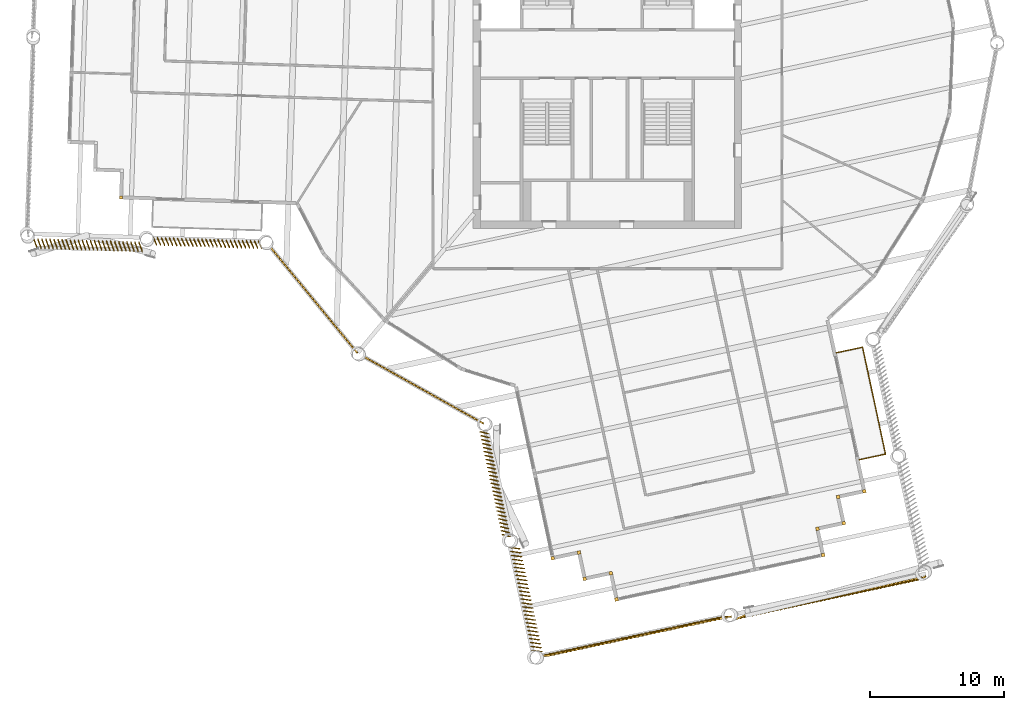
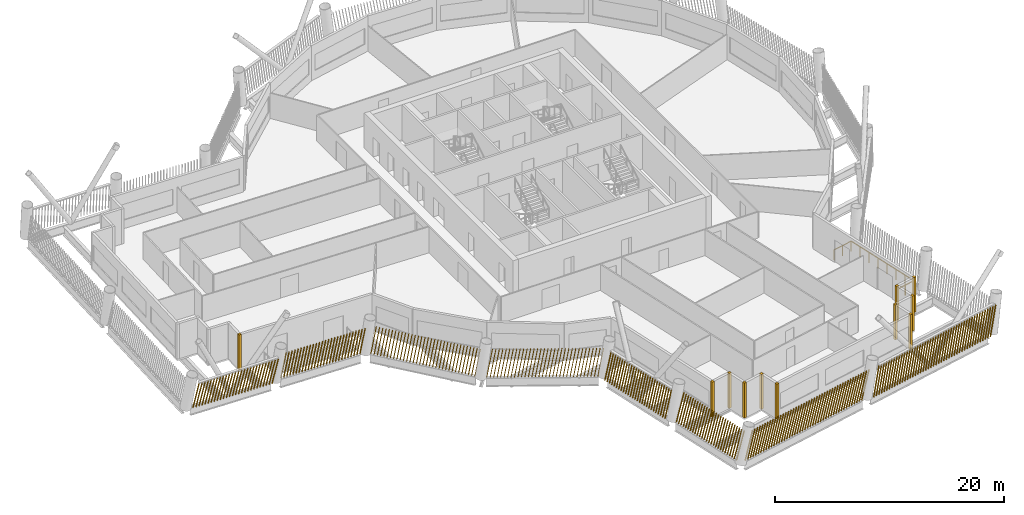
# One storey, part 17 of 21: 19 shading devices, 1 railing.
"""IFC4 building model written with IfcOpenShell, lengths in metres."""

from ifc_helpers import new_model, si_unit, direction, frame, frame_2d, origin, origin_2d, place, context, subcontext, project, spatial, rectangle, circle, composite_profile, extrude, material, type_object, element, save


model = new_model("IFC4")

# Units and contexts
model_context = context("Model", 3, precision=1e-05, world=origin(), true_north=direction((0.0, 1.0)))
body_context = subcontext(model_context, "Body", "Model", "MODEL_VIEW")
ifc_project = project(units=[si_unit("LENGTHUNIT", "METRE"), si_unit("AREAUNIT", "SQUARE_METRE"), si_unit("VOLUMEUNIT", "CUBIC_METRE"), si_unit("PLANEANGLEUNIT", "RADIAN"), si_unit("MASSUNIT", "GRAM", prefix="KILO")], contexts=[model_context])

# Site, building, storey
site_placement = place(None, origin())
site = spatial("IfcSite", under=ifc_project, at=site_placement, CompositionType="ELEMENT")
building_placement = place(site_placement, origin())
building = spatial("IfcBuilding", under=site, at=building_placement, Name="Tarsis Ring Headquarters", CompositionType="ELEMENT")
storey_placement = place(building_placement, frame((0.0, 0.0, 278.60009765625)))
storey = spatial("IfcBuildingStorey", under=building, at=storey_placement, Name="L65", CompositionType="ELEMENT", Elevation=278.60009765625)

# Railing
ifc_material_1 = material(Name="Stainless steel guard", Category="steel")
railing_type = type_object("IfcRailingType", Name="Balcony balustrade with mesh infill 1100", PredefinedType="BALUSTRADE", material=ifc_material_1)
railing_placement = place(storey_placement, frame((18.76611328125, -30.23388671875, 0.0)))
element("IfcRailing", 1, at=railing_placement, inside=storey, type_object=railing_type, Name="Balcony balustrade L65-16", PredefinedType="BALUSTRADE", context=body_context, shape_type="SweptSolid", body=[
    extrude(circle(Radius=0.030029296875, at=origin_2d()), frame((0.0, 0.0, 1.070068359375), z_axis=(0.977713011917, 0.209945865231, 0.0), x_axis=(-0.209945865231, 0.977713011917, 0.0)), (0.0, 0.0, 1.0), 2.000244140625),
    extrude(circle(Radius=0.030029296875, at=origin_2d()), frame((1.95556640625, 0.419921875, 1.070068359375), z_axis=(-0.209954515157, 0.977711154465, 0.0), x_axis=(-0.977711154465, -0.209954515157, 0.0)), (0.0, 0.0, 1.0), 8.1513671875),
    extrude(circle(Radius=0.030029296875, at=origin_2d()), frame((0.244140625, 8.3896484375, 1.070068359375), z_axis=(-0.977713011917, -0.209945865231, 0.0), x_axis=(0.209945865231, -0.977713011917, 0.0)), (0.0, 0.0, 1.0), 2.000244140625),
    extrude(circle(Radius=0.02490234375, at=origin_2d()), origin(), (0.0, 0.0, 1.0), 1.0400390625),
    extrude(circle(Radius=0.02490234375, at=origin_2d()), frame((0.977783203125, 0.2099609375, 0.0)), (0.0, 0.0, 1.0), 1.0400390625),
    extrude(circle(Radius=0.02490234375, at=origin_2d()), frame((1.95556640625, 0.419921875, 0.0)), (0.0, 0.0, 1.0), 1.0400390625),
    extrude(circle(Radius=0.02490234375, at=origin_2d()), frame((1.711181640625, 1.558349609375, 0.0)), (0.0, 0.0, 1.0), 1.0400390625),
    extrude(circle(Radius=0.02490234375, at=origin_2d()), frame((1.466552734375, 2.697021484375, 0.0)), (0.0, 0.0, 1.0), 1.0400390625),
    extrude(circle(Radius=0.02490234375, at=origin_2d()), frame((1.22216796875, 3.83544921875, 0.0)), (0.0, 0.0, 1.0), 1.0400390625),
    extrude(circle(Radius=0.02490234375, at=origin_2d()), frame((0.9775390625, 4.97412109375, 0.0)), (0.0, 0.0, 1.0), 1.0400390625),
    extrude(circle(Radius=0.02490234375, at=origin_2d()), frame((0.733154296875, 6.112548828125, 0.0)), (0.0, 0.0, 1.0), 1.0400390625),
    extrude(circle(Radius=0.02490234375, at=origin_2d()), frame((0.488525390625, 7.251220703125, 0.0)), (0.0, 0.0, 1.0), 1.0400390625),
    extrude(circle(Radius=0.02490234375, at=origin_2d()), frame((0.244140625, 8.3896484375, 0.0)), (0.0, 0.0, 1.0), 1.0400390625),
    extrude(circle(Radius=0.02490234375, at=origin_2d()), frame((-0.733642578125, 8.1796875, 0.0)), (0.0, 0.0, 1.0), 1.0400390625),
    extrude(circle(Radius=0.02490234375, at=origin_2d()), frame((-1.71142578125, 7.9697265625, 0.0)), (0.0, 0.0, 1.0), 1.0400390625),
])

# Shading devices
ifc_material_2 = material(Name="Terracotta baguette", Category="masonry")
shading_device_type_1 = type_object("IfcShadingDeviceType", Name="Terracotta baguette screen", PredefinedType="USERDEFINED", material=ifc_material_2)
shading_device_1_placement = place(storey_placement, frame((-18.18896484375, -22.535400390625, 0.0), z_axis=(0.0, 0.0, 1.0), x_axis=(0.872957577575, -0.487782941088, 0.0)))
element("IfcShadingDevice", 2, at=shading_device_1_placement, inside=storey, type_object=shading_device_type_1, Name="Baguette screen L65-00", ObjectType="Terracotta baguette screen", PredefinedType="USERDEFINED", context=body_context, shape_type="SweptSolid", body=[
    extrude(composite_profile([rectangle(XDim=0.06005859375, YDim=0.1201171875, at=frame_2d((0.030029296875, 0.0))), rectangle(XDim=0.06005859375, YDim=0.1201171875, at=frame_2d((0.33349609375, 0.0))), rectangle(XDim=0.06005859375, YDim=0.1201171875, at=frame_2d((0.636962890625, 0.0))), rectangle(XDim=0.06005859375, YDim=0.1201171875, at=frame_2d((0.9404296875, 0.0))), rectangle(XDim=0.06005859375, YDim=0.1201171875, at=frame_2d((1.243896484375, 0.0))), rectangle(XDim=0.06005859375, YDim=0.1201171875, at=frame_2d((1.54736328125, 0.0))), rectangle(XDim=0.06005859375, YDim=0.1201171875, at=frame_2d((1.85107421875, 0.0))), rectangle(XDim=0.06005859375, YDim=0.1201171875, at=frame_2d((2.154541015625, 0.0))), rectangle(XDim=0.06005859375, YDim=0.1201171875, at=frame_2d((2.4580078125, 0.0))), rectangle(XDim=0.06005859375, YDim=0.1201171875, at=frame_2d((2.761474609375, 0.0))), rectangle(XDim=0.06005859375, YDim=0.1201171875, at=frame_2d((3.06494140625, 0.0))), rectangle(XDim=0.06005859375, YDim=0.1201171875, at=frame_2d((3.368408203125, 0.0))), rectangle(XDim=0.06005859375, YDim=0.1201171875, at=frame_2d((3.671875, 0.0))), rectangle(XDim=0.06005859375, YDim=0.1201171875, at=frame_2d((3.975341796875, 0.0))), rectangle(XDim=0.06005859375, YDim=0.1201171875, at=frame_2d((4.27880859375, 0.0))), rectangle(XDim=0.06005859375, YDim=0.1201171875, at=frame_2d((4.582275390625, 0.0))), rectangle(XDim=0.06005859375, YDim=0.1201171875, at=frame_2d((4.8857421875, 0.0))), rectangle(XDim=0.06005859375, YDim=0.1201171875, at=frame_2d((5.189453125, 0.0))), rectangle(XDim=0.06005859375, YDim=0.1201171875, at=frame_2d((5.492919921875, 0.0))), rectangle(XDim=0.06005859375, YDim=0.1201171875, at=frame_2d((5.79638671875, 0.0))), rectangle(XDim=0.06005859375, YDim=0.1201171875, at=frame_2d((6.099853515625, 0.0))), rectangle(XDim=0.06005859375, YDim=0.1201171875, at=frame_2d((6.4033203125, 0.0))), rectangle(XDim=0.06005859375, YDim=0.1201171875, at=frame_2d((6.706787109375, 0.0))), rectangle(XDim=0.06005859375, YDim=0.1201171875, at=frame_2d((7.01025390625, 0.0))), rectangle(XDim=0.06005859375, YDim=0.1201171875, at=frame_2d((7.313720703125, 0.0))), rectangle(XDim=0.06005859375, YDim=0.1201171875, at=frame_2d((7.6171875, 0.0))), rectangle(XDim=0.06005859375, YDim=0.1201171875, at=frame_2d((7.920654296875, 0.0))), rectangle(XDim=0.06005859375, YDim=0.1201171875, at=frame_2d((8.224365234375, 0.0))), rectangle(XDim=0.06005859375, YDim=0.1201171875, at=frame_2d((8.52783203125, 0.0))), rectangle(XDim=0.06005859375, YDim=0.1201171875, at=frame_2d((8.831298828125, 0.0))), rectangle(XDim=0.06005859375, YDim=0.1201171875, at=frame_2d((9.134765625, 0.0))), rectangle(XDim=0.06005859375, YDim=0.1201171875, at=frame_2d((9.438232421875, 0.0))), rectangle(XDim=0.06005859375, YDim=0.1201171875, at=frame_2d((9.74169921875, 0.0)))]), origin(), (0.165544922173, 0.001445332151, 0.986201191318), 3.00927734375),
])
shading_device_2_placement = place(storey_placement, frame((-9.483642578125, -28.11328125, 0.0), z_axis=(0.0, 0.0, 1.0), x_axis=(0.209966941638, -0.977724225291, 0.0)))
element("IfcShadingDevice", 3, at=shading_device_2_placement, inside=storey, type_object=shading_device_type_1, Name="Baguette screen L65-01", ObjectType="Terracotta baguette screen", PredefinedType="USERDEFINED", context=body_context, shape_type="SweptSolid", body=[
    extrude(composite_profile([rectangle(XDim=0.06005859375, YDim=0.1201171875, at=frame_2d((0.030029296875, 0.0))), rectangle(XDim=0.06005859375, YDim=0.1201171875, at=frame_2d((0.33154296875, 0.0))), rectangle(XDim=0.06005859375, YDim=0.1201171875, at=frame_2d((0.63330078125, 0.0))), rectangle(XDim=0.06005859375, YDim=0.1201171875, at=frame_2d((0.934814453125, 0.0))), rectangle(XDim=0.06005859375, YDim=0.1201171875, at=frame_2d((1.236572265625, 0.0))), rectangle(XDim=0.06005859375, YDim=0.1201171875, at=frame_2d((1.5380859375, 0.0))), rectangle(XDim=0.06005859375, YDim=0.1201171875, at=frame_2d((1.83984375, 0.0))), rectangle(XDim=0.06005859375, YDim=0.1201171875, at=frame_2d((2.141357421875, 0.0))), rectangle(XDim=0.06005859375, YDim=0.1201171875, at=frame_2d((2.443115234375, 0.0))), rectangle(XDim=0.06005859375, YDim=0.1201171875, at=frame_2d((2.74462890625, 0.0))), rectangle(XDim=0.06005859375, YDim=0.1201171875, at=frame_2d((3.04638671875, 0.0))), rectangle(XDim=0.06005859375, YDim=0.1201171875, at=frame_2d((3.347900390625, 0.0))), rectangle(XDim=0.06005859375, YDim=0.1201171875, at=frame_2d((3.649658203125, 0.0))), rectangle(XDim=0.06005859375, YDim=0.1201171875, at=frame_2d((3.951171875, 0.0))), rectangle(XDim=0.06005859375, YDim=0.1201171875, at=frame_2d((4.252685546875, 0.0))), rectangle(XDim=0.06005859375, YDim=0.1201171875, at=frame_2d((4.554443359375, 0.0))), rectangle(XDim=0.06005859375, YDim=0.1201171875, at=frame_2d((4.85595703125, 0.0))), rectangle(XDim=0.06005859375, YDim=0.1201171875, at=frame_2d((5.15771484375, 0.0))), rectangle(XDim=0.06005859375, YDim=0.1201171875, at=frame_2d((5.459228515625, 0.0))), rectangle(XDim=0.06005859375, YDim=0.1201171875, at=frame_2d((5.760986328125, 0.0))), rectangle(XDim=0.06005859375, YDim=0.1201171875, at=frame_2d((6.0625, 0.0))), rectangle(XDim=0.06005859375, YDim=0.1201171875, at=frame_2d((6.3642578125, 0.0))), rectangle(XDim=0.06005859375, YDim=0.1201171875, at=frame_2d((6.665771484375, 0.0))), rectangle(XDim=0.06005859375, YDim=0.1201171875, at=frame_2d((6.967529296875, 0.0))), rectangle(XDim=0.06005859375, YDim=0.1201171875, at=frame_2d((7.26904296875, 0.0))), rectangle(XDim=0.06005859375, YDim=0.1201171875, at=frame_2d((7.57080078125, 0.0))), rectangle(XDim=0.06005859375, YDim=0.1201171875, at=frame_2d((7.872314453125, 0.0)))]), origin(), (0.08611058173, 0.170736510905, 0.981546744459), 3.023681640625),
])
shading_device_3_placement = place(storey_placement, frame((-7.248046875, -36.738525390625, 0.0), z_axis=(0.0, 0.0, 1.0), x_axis=(0.209966941638, -0.977724225291, 0.0)))
element("IfcShadingDevice", 4, at=shading_device_3_placement, inside=storey, type_object=shading_device_type_1, Name="Baguette screen L65-02", ObjectType="Terracotta baguette screen", PredefinedType="USERDEFINED", context=body_context, shape_type="SweptSolid", body=[
    extrude(composite_profile([rectangle(XDim=0.06005859375, YDim=0.1201171875, at=frame_2d((0.030029296875, 0.0))), rectangle(XDim=0.06005859375, YDim=0.1201171875, at=frame_2d((0.33154296875, 0.0))), rectangle(XDim=0.06005859375, YDim=0.1201171875, at=frame_2d((0.63330078125, 0.0))), rectangle(XDim=0.06005859375, YDim=0.1201171875, at=frame_2d((0.934814453125, 0.0))), rectangle(XDim=0.06005859375, YDim=0.1201171875, at=frame_2d((1.236572265625, 0.0))), rectangle(XDim=0.06005859375, YDim=0.1201171875, at=frame_2d((1.5380859375, 0.0))), rectangle(XDim=0.06005859375, YDim=0.1201171875, at=frame_2d((1.83984375, 0.0))), rectangle(XDim=0.06005859375, YDim=0.1201171875, at=frame_2d((2.141357421875, 0.0))), rectangle(XDim=0.06005859375, YDim=0.1201171875, at=frame_2d((2.443115234375, 0.0))), rectangle(XDim=0.06005859375, YDim=0.1201171875, at=frame_2d((2.74462890625, 0.0))), rectangle(XDim=0.06005859375, YDim=0.1201171875, at=frame_2d((3.04638671875, 0.0))), rectangle(XDim=0.06005859375, YDim=0.1201171875, at=frame_2d((3.347900390625, 0.0))), rectangle(XDim=0.06005859375, YDim=0.1201171875, at=frame_2d((3.649658203125, 0.0))), rectangle(XDim=0.06005859375, YDim=0.1201171875, at=frame_2d((3.951171875, 0.0))), rectangle(XDim=0.06005859375, YDim=0.1201171875, at=frame_2d((4.252685546875, 0.0))), rectangle(XDim=0.06005859375, YDim=0.1201171875, at=frame_2d((4.554443359375, 0.0))), rectangle(XDim=0.06005859375, YDim=0.1201171875, at=frame_2d((4.85595703125, 0.0))), rectangle(XDim=0.06005859375, YDim=0.1201171875, at=frame_2d((5.15771484375, 0.0))), rectangle(XDim=0.06005859375, YDim=0.1201171875, at=frame_2d((5.459228515625, 0.0))), rectangle(XDim=0.06005859375, YDim=0.1201171875, at=frame_2d((5.760986328125, 0.0))), rectangle(XDim=0.06005859375, YDim=0.1201171875, at=frame_2d((6.0625, 0.0))), rectangle(XDim=0.06005859375, YDim=0.1201171875, at=frame_2d((6.3642578125, 0.0))), rectangle(XDim=0.06005859375, YDim=0.1201171875, at=frame_2d((6.665771484375, 0.0))), rectangle(XDim=0.06005859375, YDim=0.1201171875, at=frame_2d((6.967529296875, 0.0))), rectangle(XDim=0.06005859375, YDim=0.1201171875, at=frame_2d((7.26904296875, 0.0))), rectangle(XDim=0.06005859375, YDim=0.1201171875, at=frame_2d((7.57080078125, 0.0))), rectangle(XDim=0.06005859375, YDim=0.1201171875, at=frame_2d((7.872314453125, 0.0)))]), origin(), (0.082685815077, 0.219943545154, 0.972002002534), 3.05322265625),
])
shading_device_4_placement = place(storey_placement, frame((-4.994873046875, -44.848388671875, 0.0), z_axis=(0.0, 0.0, 1.0), x_axis=(0.977708583964, 0.209963909136, 0.0)))
element("IfcShadingDevice", 5, at=shading_device_4_placement, inside=storey, type_object=shading_device_type_1, Name="Baguette screen L65-03", ObjectType="Terracotta baguette screen", PredefinedType="USERDEFINED", context=body_context, shape_type="SweptSolid", body=[
    extrude(composite_profile([rectangle(XDim=0.06005859375, YDim=0.1201171875, at=frame_2d((0.030029296875, 0.0))), rectangle(XDim=0.06005859375, YDim=0.1201171875, at=frame_2d((0.33544921875, 0.0))), rectangle(XDim=0.06005859375, YDim=0.1201171875, at=frame_2d((0.640625, 0.0))), rectangle(XDim=0.06005859375, YDim=0.1201171875, at=frame_2d((0.946044921875, 0.0))), rectangle(XDim=0.06005859375, YDim=0.1201171875, at=frame_2d((1.25146484375, 0.0))), rectangle(XDim=0.06005859375, YDim=0.1201171875, at=frame_2d((1.556640625, 0.0))), rectangle(XDim=0.06005859375, YDim=0.1201171875, at=frame_2d((1.862060546875, 0.0))), rectangle(XDim=0.06005859375, YDim=0.1201171875, at=frame_2d((2.16748046875, 0.0))), rectangle(XDim=0.06005859375, YDim=0.1201171875, at=frame_2d((2.47265625, 0.0))), rectangle(XDim=0.06005859375, YDim=0.1201171875, at=frame_2d((2.778076171875, 0.0))), rectangle(XDim=0.06005859375, YDim=0.1201171875, at=frame_2d((3.08349609375, 0.0))), rectangle(XDim=0.06005859375, YDim=0.1201171875, at=frame_2d((3.388671875, 0.0))), rectangle(XDim=0.06005859375, YDim=0.1201171875, at=frame_2d((3.694091796875, 0.0))), rectangle(XDim=0.06005859375, YDim=0.1201171875, at=frame_2d((3.99951171875, 0.0))), rectangle(XDim=0.06005859375, YDim=0.1201171875, at=frame_2d((4.3046875, 0.0))), rectangle(XDim=0.06005859375, YDim=0.1201171875, at=frame_2d((4.610107421875, 0.0))), rectangle(XDim=0.06005859375, YDim=0.1201171875, at=frame_2d((4.91552734375, 0.0))), rectangle(XDim=0.06005859375, YDim=0.1201171875, at=frame_2d((5.220703125, 0.0))), rectangle(XDim=0.06005859375, YDim=0.1201171875, at=frame_2d((5.526123046875, 0.0))), rectangle(XDim=0.06005859375, YDim=0.1201171875, at=frame_2d((5.83154296875, 0.0))), rectangle(XDim=0.06005859375, YDim=0.1201171875, at=frame_2d((6.13671875, 0.0))), rectangle(XDim=0.06005859375, YDim=0.1201171875, at=frame_2d((6.442138671875, 0.0))), rectangle(XDim=0.06005859375, YDim=0.1201171875, at=frame_2d((6.74755859375, 0.0))), rectangle(XDim=0.06005859375, YDim=0.1201171875, at=frame_2d((7.052734375, 0.0))), rectangle(XDim=0.06005859375, YDim=0.1201171875, at=frame_2d((7.358154296875, 0.0))), rectangle(XDim=0.06005859375, YDim=0.1201171875, at=frame_2d((7.66357421875, 0.0))), rectangle(XDim=0.06005859375, YDim=0.1201171875, at=frame_2d((7.96875, 0.0))), rectangle(XDim=0.06005859375, YDim=0.1201171875, at=frame_2d((8.274169921875, 0.0))), rectangle(XDim=0.06005859375, YDim=0.1201171875, at=frame_2d((8.57958984375, 0.0))), rectangle(XDim=0.06005859375, YDim=0.1201171875, at=frame_2d((8.884765625, 0.0))), rectangle(XDim=0.06005859375, YDim=0.1201171875, at=frame_2d((9.190185546875, 0.0))), rectangle(XDim=0.06005859375, YDim=0.1201171875, at=frame_2d((9.49560546875, 0.0))), rectangle(XDim=0.06005859375, YDim=0.1201171875, at=frame_2d((9.80078125, 0.0))), rectangle(XDim=0.06005859375, YDim=0.1201171875, at=frame_2d((10.106201171875, 0.0))), rectangle(XDim=0.06005859375, YDim=0.1201171875, at=frame_2d((10.41162109375, 0.0))), rectangle(XDim=0.06005859375, YDim=0.1201171875, at=frame_2d((10.716796875, 0.0))), rectangle(XDim=0.06005859375, YDim=0.1201171875, at=frame_2d((11.022216796875, 0.0))), rectangle(XDim=0.06005859375, YDim=0.1201171875, at=frame_2d((11.32763671875, 0.0))), rectangle(XDim=0.06005859375, YDim=0.1201171875, at=frame_2d((11.6328125, 0.0))), rectangle(XDim=0.06005859375, YDim=0.1201171875, at=frame_2d((11.938232421875, 0.0))), rectangle(XDim=0.06005859375, YDim=0.1201171875, at=frame_2d((12.24365234375, 0.0))), rectangle(XDim=0.06005859375, YDim=0.1201171875, at=frame_2d((12.548828125, 0.0))), rectangle(XDim=0.06005859375, YDim=0.1201171875, at=frame_2d((12.854248046875, 0.0))), rectangle(XDim=0.06005859375, YDim=0.1201171875, at=frame_2d((13.15966796875, 0.0))), rectangle(XDim=0.06005859375, YDim=0.1201171875, at=frame_2d((13.46484375, 0.0))), rectangle(XDim=0.06005859375, YDim=0.1201171875, at=frame_2d((13.770263671875, 0.0)))]), origin(), (0.244229058513, -0.040035531652, 0.96889076948), 3.06298828125),
])
shading_device_5_placement = place(storey_placement, frame((9.553955078125, -42.107666015625, 0.0), z_axis=(0.0, 0.0, 1.0), x_axis=(0.977708978328, 0.209960194604, 0.0)))
element("IfcShadingDevice", 6, at=shading_device_5_placement, inside=storey, type_object=shading_device_type_1, Name="Baguette screen L65-04", ObjectType="Terracotta baguette screen", PredefinedType="USERDEFINED", context=body_context, shape_type="SweptSolid", body=[
    extrude(composite_profile([rectangle(XDim=0.06005859375, YDim=0.1201171875, at=frame_2d((0.030029296875, 0.0))), rectangle(XDim=0.06005859375, YDim=0.1201171875, at=frame_2d((0.33544921875, 0.0))), rectangle(XDim=0.06005859375, YDim=0.1201171875, at=frame_2d((0.640625, 0.0))), rectangle(XDim=0.06005859375, YDim=0.1201171875, at=frame_2d((0.946044921875, 0.0))), rectangle(XDim=0.06005859375, YDim=0.1201171875, at=frame_2d((1.25146484375, 0.0))), rectangle(XDim=0.06005859375, YDim=0.1201171875, at=frame_2d((1.556640625, 0.0))), rectangle(XDim=0.06005859375, YDim=0.1201171875, at=frame_2d((1.862060546875, 0.0))), rectangle(XDim=0.06005859375, YDim=0.1201171875, at=frame_2d((2.16748046875, 0.0))), rectangle(XDim=0.06005859375, YDim=0.1201171875, at=frame_2d((2.47265625, 0.0))), rectangle(XDim=0.06005859375, YDim=0.1201171875, at=frame_2d((2.778076171875, 0.0))), rectangle(XDim=0.06005859375, YDim=0.1201171875, at=frame_2d((3.08349609375, 0.0))), rectangle(XDim=0.06005859375, YDim=0.1201171875, at=frame_2d((3.388671875, 0.0))), rectangle(XDim=0.06005859375, YDim=0.1201171875, at=frame_2d((3.694091796875, 0.0))), rectangle(XDim=0.06005859375, YDim=0.1201171875, at=frame_2d((3.99951171875, 0.0))), rectangle(XDim=0.06005859375, YDim=0.1201171875, at=frame_2d((4.3046875, 0.0))), rectangle(XDim=0.06005859375, YDim=0.1201171875, at=frame_2d((4.610107421875, 0.0))), rectangle(XDim=0.06005859375, YDim=0.1201171875, at=frame_2d((4.91552734375, 0.0))), rectangle(XDim=0.06005859375, YDim=0.1201171875, at=frame_2d((5.220703125, 0.0))), rectangle(XDim=0.06005859375, YDim=0.1201171875, at=frame_2d((5.526123046875, 0.0))), rectangle(XDim=0.06005859375, YDim=0.1201171875, at=frame_2d((5.83154296875, 0.0))), rectangle(XDim=0.06005859375, YDim=0.1201171875, at=frame_2d((6.13671875, 0.0))), rectangle(XDim=0.06005859375, YDim=0.1201171875, at=frame_2d((6.442138671875, 0.0))), rectangle(XDim=0.06005859375, YDim=0.1201171875, at=frame_2d((6.74755859375, 0.0))), rectangle(XDim=0.06005859375, YDim=0.1201171875, at=frame_2d((7.052734375, 0.0))), rectangle(XDim=0.06005859375, YDim=0.1201171875, at=frame_2d((7.358154296875, 0.0))), rectangle(XDim=0.06005859375, YDim=0.1201171875, at=frame_2d((7.66357421875, 0.0))), rectangle(XDim=0.06005859375, YDim=0.1201171875, at=frame_2d((7.96875, 0.0))), rectangle(XDim=0.06005859375, YDim=0.1201171875, at=frame_2d((8.274169921875, 0.0))), rectangle(XDim=0.06005859375, YDim=0.1201171875, at=frame_2d((8.57958984375, 0.0))), rectangle(XDim=0.06005859375, YDim=0.1201171875, at=frame_2d((8.884765625, 0.0))), rectangle(XDim=0.06005859375, YDim=0.1201171875, at=frame_2d((9.190185546875, 0.0))), rectangle(XDim=0.06005859375, YDim=0.1201171875, at=frame_2d((9.49560546875, 0.0))), rectangle(XDim=0.06005859375, YDim=0.1201171875, at=frame_2d((9.80078125, 0.0))), rectangle(XDim=0.06005859375, YDim=0.1201171875, at=frame_2d((10.106201171875, 0.0))), rectangle(XDim=0.06005859375, YDim=0.1201171875, at=frame_2d((10.41162109375, 0.0))), rectangle(XDim=0.06005859375, YDim=0.1201171875, at=frame_2d((10.716796875, 0.0))), rectangle(XDim=0.06005859375, YDim=0.1201171875, at=frame_2d((11.022216796875, 0.0))), rectangle(XDim=0.06005859375, YDim=0.1201171875, at=frame_2d((11.32763671875, 0.0))), rectangle(XDim=0.06005859375, YDim=0.1201171875, at=frame_2d((11.6328125, 0.0))), rectangle(XDim=0.06005859375, YDim=0.1201171875, at=frame_2d((11.938232421875, 0.0))), rectangle(XDim=0.06005859375, YDim=0.1201171875, at=frame_2d((12.24365234375, 0.0))), rectangle(XDim=0.06005859375, YDim=0.1201171875, at=frame_2d((12.548828125, 0.0))), rectangle(XDim=0.06005859375, YDim=0.1201171875, at=frame_2d((12.854248046875, 0.0))), rectangle(XDim=0.06005859375, YDim=0.1201171875, at=frame_2d((13.15966796875, 0.0))), rectangle(XDim=0.06005859375, YDim=0.1201171875, at=frame_2d((13.46484375, 0.0))), rectangle(XDim=0.06005859375, YDim=0.1201171875, at=frame_2d((13.770263671875, 0.0)))]), origin(), (0.245501322458, 0.044286441452, 0.968384124082), 3.064697265625),
])
shading_device_6_placement = place(storey_placement, frame((-42.775146484375, -13.779052734375, 0.0), z_axis=(0.0, 0.0, 1.0), x_axis=(0.999474773689, -0.032811196589, 0.0)))
element("IfcShadingDevice", 7, at=shading_device_6_placement, inside=storey, type_object=shading_device_type_1, Name="Baguette screen L65-19", ObjectType="Terracotta baguette screen", PredefinedType="USERDEFINED", context=body_context, shape_type="SweptSolid", body=[
    extrude(composite_profile([rectangle(XDim=0.06005859375, YDim=0.1201171875, at=frame_2d((0.030029296875, 0.0))), rectangle(XDim=0.06005859375, YDim=0.1201171875, at=frame_2d((0.33154296875, 0.0))), rectangle(XDim=0.06005859375, YDim=0.1201171875, at=frame_2d((0.63330078125, 0.0))), rectangle(XDim=0.06005859375, YDim=0.1201171875, at=frame_2d((0.934814453125, 0.0))), rectangle(XDim=0.06005859375, YDim=0.1201171875, at=frame_2d((1.236572265625, 0.0))), rectangle(XDim=0.06005859375, YDim=0.1201171875, at=frame_2d((1.5380859375, 0.0))), rectangle(XDim=0.06005859375, YDim=0.1201171875, at=frame_2d((1.83984375, 0.0))), rectangle(XDim=0.06005859375, YDim=0.1201171875, at=frame_2d((2.141357421875, 0.0))), rectangle(XDim=0.06005859375, YDim=0.1201171875, at=frame_2d((2.443115234375, 0.0))), rectangle(XDim=0.06005859375, YDim=0.1201171875, at=frame_2d((2.74462890625, 0.0))), rectangle(XDim=0.06005859375, YDim=0.1201171875, at=frame_2d((3.04638671875, 0.0))), rectangle(XDim=0.06005859375, YDim=0.1201171875, at=frame_2d((3.347900390625, 0.0))), rectangle(XDim=0.06005859375, YDim=0.1201171875, at=frame_2d((3.649658203125, 0.0))), rectangle(XDim=0.06005859375, YDim=0.1201171875, at=frame_2d((3.951171875, 0.0))), rectangle(XDim=0.06005859375, YDim=0.1201171875, at=frame_2d((4.252685546875, 0.0))), rectangle(XDim=0.06005859375, YDim=0.1201171875, at=frame_2d((4.554443359375, 0.0))), rectangle(XDim=0.06005859375, YDim=0.1201171875, at=frame_2d((4.85595703125, 0.0))), rectangle(XDim=0.06005859375, YDim=0.1201171875, at=frame_2d((5.15771484375, 0.0))), rectangle(XDim=0.06005859375, YDim=0.1201171875, at=frame_2d((5.459228515625, 0.0))), rectangle(XDim=0.06005859375, YDim=0.1201171875, at=frame_2d((5.760986328125, 0.0))), rectangle(XDim=0.06005859375, YDim=0.1201171875, at=frame_2d((6.0625, 0.0))), rectangle(XDim=0.06005859375, YDim=0.1201171875, at=frame_2d((6.3642578125, 0.0))), rectangle(XDim=0.06005859375, YDim=0.1201171875, at=frame_2d((6.665771484375, 0.0))), rectangle(XDim=0.06005859375, YDim=0.1201171875, at=frame_2d((6.967529296875, 0.0))), rectangle(XDim=0.06005859375, YDim=0.1201171875, at=frame_2d((7.26904296875, 0.0))), rectangle(XDim=0.06005859375, YDim=0.1201171875, at=frame_2d((7.57080078125, 0.0))), rectangle(XDim=0.06005859375, YDim=0.1201171875, at=frame_2d((7.872314453125, 0.0)))]), origin(), (0.088639195053, -0.218407378882, 0.971823703122), 3.0537109375),
])
shading_device_7_placement = place(storey_placement, frame((-33.865234375, -13.6962890625, 0.0), z_axis=(0.0, 0.0, 1.0), x_axis=(0.999474773689, -0.032811196589, 0.0)))
element("IfcShadingDevice", 8, at=shading_device_7_placement, inside=storey, type_object=shading_device_type_1, Name="Baguette screen L65-20", ObjectType="Terracotta baguette screen", PredefinedType="USERDEFINED", context=body_context, shape_type="SweptSolid", body=[
    extrude(composite_profile([rectangle(XDim=0.06005859375, YDim=0.1201171875, at=frame_2d((0.030029296875, 0.0))), rectangle(XDim=0.06005859375, YDim=0.1201171875, at=frame_2d((0.33154296875, 0.0))), rectangle(XDim=0.06005859375, YDim=0.1201171875, at=frame_2d((0.63330078125, 0.0))), rectangle(XDim=0.06005859375, YDim=0.1201171875, at=frame_2d((0.934814453125, 0.0))), rectangle(XDim=0.06005859375, YDim=0.1201171875, at=frame_2d((1.236572265625, 0.0))), rectangle(XDim=0.06005859375, YDim=0.1201171875, at=frame_2d((1.5380859375, 0.0))), rectangle(XDim=0.06005859375, YDim=0.1201171875, at=frame_2d((1.83984375, 0.0))), rectangle(XDim=0.06005859375, YDim=0.1201171875, at=frame_2d((2.141357421875, 0.0))), rectangle(XDim=0.06005859375, YDim=0.1201171875, at=frame_2d((2.443115234375, 0.0))), rectangle(XDim=0.06005859375, YDim=0.1201171875, at=frame_2d((2.74462890625, 0.0))), rectangle(XDim=0.06005859375, YDim=0.1201171875, at=frame_2d((3.04638671875, 0.0))), rectangle(XDim=0.06005859375, YDim=0.1201171875, at=frame_2d((3.347900390625, 0.0))), rectangle(XDim=0.06005859375, YDim=0.1201171875, at=frame_2d((3.649658203125, 0.0))), rectangle(XDim=0.06005859375, YDim=0.1201171875, at=frame_2d((3.951171875, 0.0))), rectangle(XDim=0.06005859375, YDim=0.1201171875, at=frame_2d((4.252685546875, 0.0))), rectangle(XDim=0.06005859375, YDim=0.1201171875, at=frame_2d((4.554443359375, 0.0))), rectangle(XDim=0.06005859375, YDim=0.1201171875, at=frame_2d((4.85595703125, 0.0))), rectangle(XDim=0.06005859375, YDim=0.1201171875, at=frame_2d((5.15771484375, 0.0))), rectangle(XDim=0.06005859375, YDim=0.1201171875, at=frame_2d((5.459228515625, 0.0))), rectangle(XDim=0.06005859375, YDim=0.1201171875, at=frame_2d((5.760986328125, 0.0))), rectangle(XDim=0.06005859375, YDim=0.1201171875, at=frame_2d((6.0625, 0.0))), rectangle(XDim=0.06005859375, YDim=0.1201171875, at=frame_2d((6.3642578125, 0.0))), rectangle(XDim=0.06005859375, YDim=0.1201171875, at=frame_2d((6.665771484375, 0.0))), rectangle(XDim=0.06005859375, YDim=0.1201171875, at=frame_2d((6.967529296875, 0.0))), rectangle(XDim=0.06005859375, YDim=0.1201171875, at=frame_2d((7.26904296875, 0.0))), rectangle(XDim=0.06005859375, YDim=0.1201171875, at=frame_2d((7.57080078125, 0.0))), rectangle(XDim=0.06005859375, YDim=0.1201171875, at=frame_2d((7.872314453125, 0.0)))]), origin(), (0.086928800337, -0.169257658075, 0.981730731339), 3.02294921875),
])
shading_device_8_placement = place(storey_placement, frame((-25.14990234375, -14.358154296875, 0.0), z_axis=(0.0, 0.0, 1.0), x_axis=(0.635202998126, -0.772342286071, 0.0)))
element("IfcShadingDevice", 9, at=shading_device_8_placement, inside=storey, type_object=shading_device_type_1, Name="Baguette screen L65-21", ObjectType="Terracotta baguette screen", PredefinedType="USERDEFINED", context=body_context, shape_type="SweptSolid", body=[
    extrude(composite_profile([rectangle(XDim=0.06005859375, YDim=0.1201171875, at=frame_2d((0.030029296875, 0.0))), rectangle(XDim=0.06005859375, YDim=0.1201171875, at=frame_2d((0.33349609375, 0.0))), rectangle(XDim=0.06005859375, YDim=0.1201171875, at=frame_2d((0.636962890625, 0.0))), rectangle(XDim=0.06005859375, YDim=0.1201171875, at=frame_2d((0.9404296875, 0.0))), rectangle(XDim=0.06005859375, YDim=0.1201171875, at=frame_2d((1.243896484375, 0.0))), rectangle(XDim=0.06005859375, YDim=0.1201171875, at=frame_2d((1.54736328125, 0.0))), rectangle(XDim=0.06005859375, YDim=0.1201171875, at=frame_2d((1.85107421875, 0.0))), rectangle(XDim=0.06005859375, YDim=0.1201171875, at=frame_2d((2.154541015625, 0.0))), rectangle(XDim=0.06005859375, YDim=0.1201171875, at=frame_2d((2.4580078125, 0.0))), rectangle(XDim=0.06005859375, YDim=0.1201171875, at=frame_2d((2.761474609375, 0.0))), rectangle(XDim=0.06005859375, YDim=0.1201171875, at=frame_2d((3.06494140625, 0.0))), rectangle(XDim=0.06005859375, YDim=0.1201171875, at=frame_2d((3.368408203125, 0.0))), rectangle(XDim=0.06005859375, YDim=0.1201171875, at=frame_2d((3.671875, 0.0))), rectangle(XDim=0.06005859375, YDim=0.1201171875, at=frame_2d((3.975341796875, 0.0))), rectangle(XDim=0.06005859375, YDim=0.1201171875, at=frame_2d((4.27880859375, 0.0))), rectangle(XDim=0.06005859375, YDim=0.1201171875, at=frame_2d((4.582275390625, 0.0))), rectangle(XDim=0.06005859375, YDim=0.1201171875, at=frame_2d((4.8857421875, 0.0))), rectangle(XDim=0.06005859375, YDim=0.1201171875, at=frame_2d((5.189453125, 0.0))), rectangle(XDim=0.06005859375, YDim=0.1201171875, at=frame_2d((5.492919921875, 0.0))), rectangle(XDim=0.06005859375, YDim=0.1201171875, at=frame_2d((5.79638671875, 0.0))), rectangle(XDim=0.06005859375, YDim=0.1201171875, at=frame_2d((6.099853515625, 0.0))), rectangle(XDim=0.06005859375, YDim=0.1201171875, at=frame_2d((6.4033203125, 0.0))), rectangle(XDim=0.06005859375, YDim=0.1201171875, at=frame_2d((6.706787109375, 0.0))), rectangle(XDim=0.06005859375, YDim=0.1201171875, at=frame_2d((7.01025390625, 0.0))), rectangle(XDim=0.06005859375, YDim=0.1201171875, at=frame_2d((7.313720703125, 0.0))), rectangle(XDim=0.06005859375, YDim=0.1201171875, at=frame_2d((7.6171875, 0.0))), rectangle(XDim=0.06005859375, YDim=0.1201171875, at=frame_2d((7.920654296875, 0.0))), rectangle(XDim=0.06005859375, YDim=0.1201171875, at=frame_2d((8.224365234375, 0.0))), rectangle(XDim=0.06005859375, YDim=0.1201171875, at=frame_2d((8.52783203125, 0.0))), rectangle(XDim=0.06005859375, YDim=0.1201171875, at=frame_2d((8.831298828125, 0.0))), rectangle(XDim=0.06005859375, YDim=0.1201171875, at=frame_2d((9.134765625, 0.0))), rectangle(XDim=0.06005859375, YDim=0.1201171875, at=frame_2d((9.438232421875, 0.0))), rectangle(XDim=0.06005859375, YDim=0.1201171875, at=frame_2d((9.74169921875, 0.0)))]), origin(), (0.165545437406, 0.001444318216, 0.986201106316), 3.00927734375),
])
shading_device_type_2 = type_object("IfcShadingDeviceType", Name="Terracotta corner baguette 250x250", PredefinedType="USERDEFINED", material=ifc_material_2)
for number, where, z_axis, x_axis, name in (
    (10, (-36.245361328125, -10.691650390625, 0.0), (0.0, 0.0, 1.0), (-0.03280600589, -0.999461738126, 0.0), "Corner baguette L65-01"),
    (11, (-4.077880859375, -37.568603515625, 0.0), (0.0, 0.0, 1.0), (0.20995992912, -0.97770999185, 0.0), "Corner baguette L65-07"),
    (12, (-2.12255859375, -37.148681640625, 0.0), (0.0, 0.0, 1.0), (0.977710057811, 0.209959621964, 0.0), "Corner baguette L65-08"),
    (13, (-1.70263671875, -39.10400390625, 0.0), (0.0, 0.0, 1.0), (0.209959997377, -0.977709977192, 0.0), "Corner baguette L65-09"),
    (14, (0.252685546875, -38.68408203125, 0.0), (0.0, 0.0, 1.0), (0.977709999179, 0.209959894992, 0.0), "Corner baguette L65-10"),
    (15, (0.672607421875, -40.6396484375, 0.0), (0.0, 0.0, 1.0), (0.209959519578, -0.977710079798, 0.0), "Corner baguette L65-11"),
    (16, (16.071533203125, -37.332763671875, 0.0), (0.0, 0.0, 1.0), (0.977710006508, 0.209959860863, 0.0), "Corner baguette L65-12"),
    (17, (15.651611328125, -35.37744140625, 0.0), (0.0, 0.0, 1.0), (-0.209960475177, 0.977709874586, 0.0), "Corner baguette L65-13"),
    (18, (17.607177734375, -34.95751953125, 0.0), (0.0, 0.0, 1.0), (0.977710079798, 0.209959519578, 0.0), "Corner baguette L65-14"),
    (19, (17.187255859375, -33.001953125, 0.0), (0.0, 0.0, 1.0), (-0.209959519578, 0.977710079798, 0.0), "Corner baguette L65-15"),
    (20, (19.142578125, -32.58203125, 0.0), (0.0, 0.0, 1.0), (0.977709977192, 0.209959997377, 0.0), "Corner baguette L65-16"),
):
    element("IfcShadingDevice", number, at=place(storey_placement, frame(where, z_axis=z_axis, x_axis=x_axis)), inside=storey, type_object=shading_device_type_2, Name=name, ObjectType="Terracotta corner baguette", PredefinedType="USERDEFINED", context=body_context, shape_type="SweptSolid", body=[
        extrude(rectangle(XDim=0.25, YDim=0.25, at=origin_2d()), origin(), (0.0, 0.0, 1.0), 3.739990234375),
    ])

save(model, "model.ifc")
